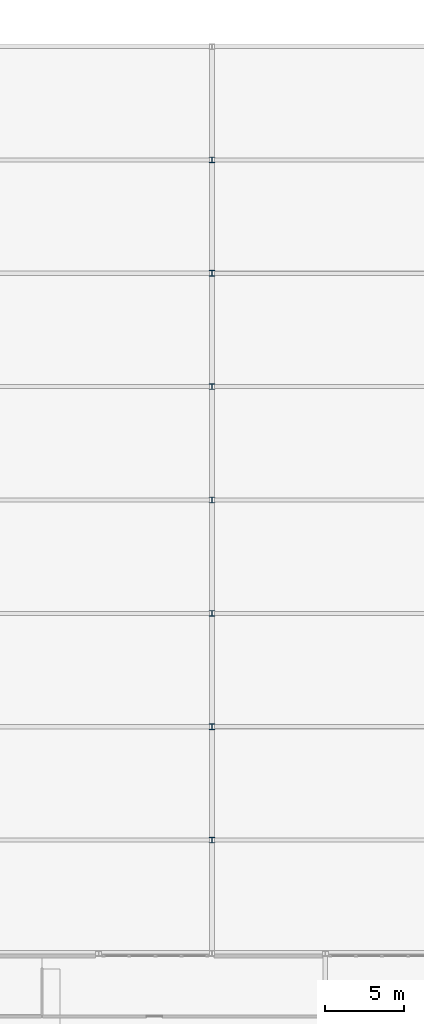
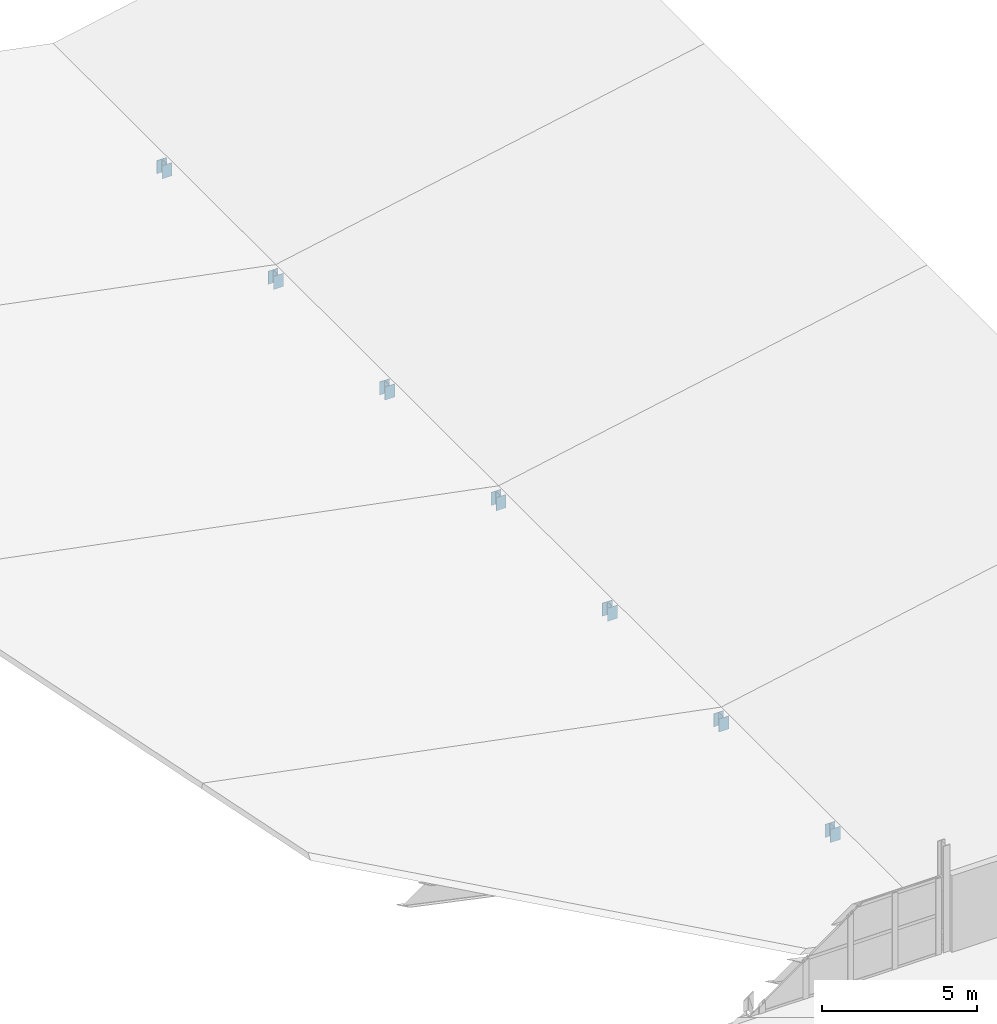
# One storey, part 21 of 94: 7 columns.
"""IFC4 building model written with IfcOpenShell, lengths in metres."""

from ifc_helpers import new_model, si_unit, direction, frame, origin, origin_2d, place, context, subcontext, project, spatial, i_section, extrude, material, material_profile, profile_set, type_object, element, save


model = new_model("IFC4")

# Units and contexts
model_context = context("Model", 3, precision=1e-05, world=origin(), true_north=direction((0.0, 1.0)))
body_context = subcontext(model_context, "Body", "Model", "MODEL_VIEW")
ifc_project = project(units=[si_unit("LENGTHUNIT", "METRE"), si_unit("AREAUNIT", "SQUARE_METRE"), si_unit("VOLUMEUNIT", "CUBIC_METRE"), si_unit("PLANEANGLEUNIT", "RADIAN"), si_unit("MASSUNIT", "GRAM", prefix="KILO")], contexts=[model_context])

# Site, building, storey
site_placement = place(None, origin())
site = spatial("IfcSite", under=ifc_project, at=site_placement, CompositionType="ELEMENT")
building_placement = place(site_placement, origin())
building = spatial("IfcBuilding", under=site, at=building_placement, Name="Kalmorath City Hall", CompositionType="ELEMENT")
storey_placement = place(building_placement, frame((0.0, 0.0, 14.699951171875)))
storey = spatial("IfcBuildingStorey", under=building, at=storey_placement, Name="L03", CompositionType="ELEMENT", Elevation=14.699951171875)

# Columns
ifc_material = material(Name="Steel ASTM A992 Grade 50", Category="steel")
ifc_material_profile = material_profile(ifc_material, i_section(OverallWidth=0.368896484375, OverallDepth=0.35595703125, WebThickness=0.01123046875, FlangeThickness=0.01806640625, FilletRadius=0.01806640625, at=origin_2d()), Name="W14X90")
ifc_profile_set = profile_set([ifc_material_profile], Name="Steel ASTM A992 Grade 50")
column_type = type_object("IfcColumnType", Name="Steel wide-flange column W14X90", PredefinedType="COLUMN", material=ifc_profile_set)
for number, where, z_axis, x_axis, name in (
    (1, (151.199951171875, 50.39990234375, 0.0), (0.0, 0.0, 1.0), (1.0, 0.0, 0.0), "L03 library valley post SC3-2"),
    (2, (151.199951171875, 57.60009765625, 0.0), (0.0, 0.0, 1.0), (1.0, 0.0, 0.0), "L03 library valley post SC3-3"),
    (3, (151.199951171875, 64.800048828125, 0.0), (0.0, 0.0, 1.0), (1.0, 0.0, 0.0), "L03 library valley post SC3-4"),
    (4, (151.199951171875, 72.0, 0.0), (0.0, 0.0, 1.0), (1.0, 0.0, 0.0), "L03 library valley post SC3-5"),
    (5, (151.199951171875, 79.199951171875, 0.0), (0.0, 0.0, 1.0), (1.0, 0.0, 0.0), "L03 library valley post SC3-6"),
    (6, (151.199951171875, 86.39990234375, 0.0), (0.0, 0.0, 1.0), (1.0, 0.0, 0.0), "L03 library valley post SC3-7"),
    (7, (151.199951171875, 93.60009765625, 0.0), (0.0, 0.0, 1.0), (1.0, 0.0, 0.0), "L03 library valley post SC3-8"),
):
    element("IfcColumn", number, at=place(storey_placement, frame(where, z_axis=z_axis, x_axis=x_axis)), inside=storey, type_object=column_type, Name=name, PredefinedType="COLUMN", context=body_context, shape_type="SweptSolid", body=[
        extrude(i_section(OverallWidth=0.368896484375, OverallDepth=0.35595703125, WebThickness=0.01123046875, FlangeThickness=0.01806640625, FilletRadius=0.01806640625, at=origin_2d()), origin(), (0.0, 0.0, 1.0), 0.52001953125),
    ])

save(model, "model.ifc")
